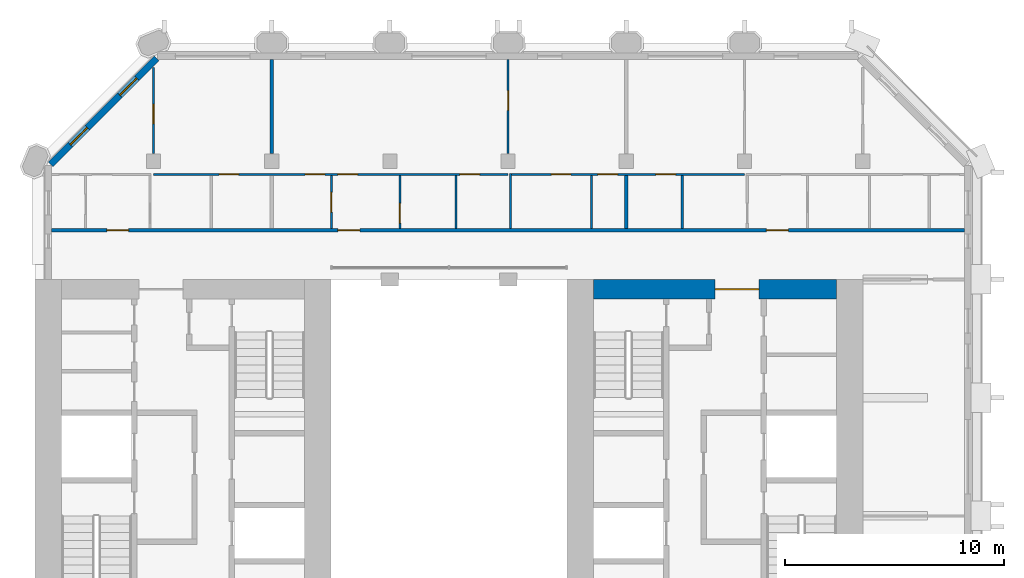
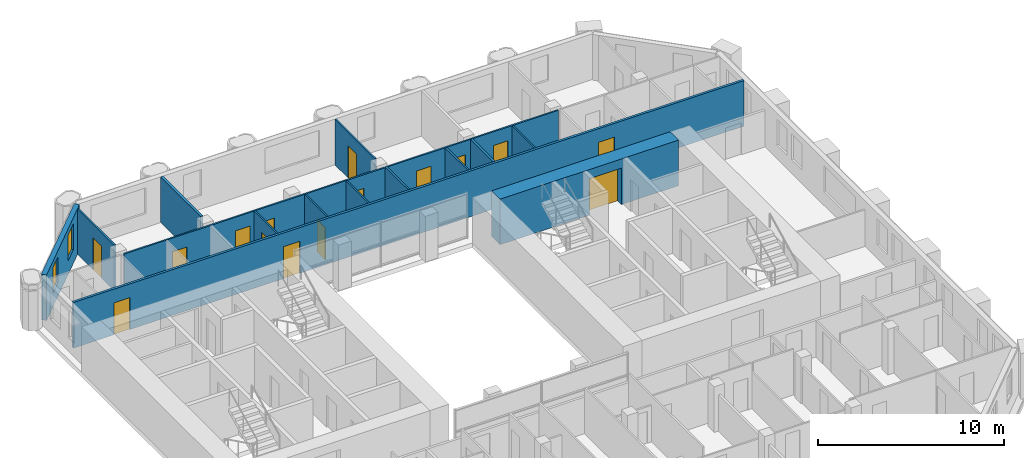
# One storey, part 10 of 14: 15 doors, 15 walls, 2 windows, 17 openings.
"""IFC4 building model written with IfcOpenShell, lengths in metres."""

import ifcopenshell
import ifcopenshell.guid

model = None  # the IFC model being written
_history = None  # IfcOwnerHistory: only IFC2X3 demands one
_inside = {}  # id of a spatial element -> (the spatial element, [elements in it])
_under = {}  # id of a project, library or spatial element -> (it, [spatial elements below it])
_declared = {}  # id of a project -> (the project, [libraries it declares])
_typed = {}  # id of a type object -> (the type object, [elements of that type])
_made_of = {}  # id of a material, layer set ... -> (it, [elements and type objects made of it])


def new_model(schema):
    """Start an empty IFC model of exactly this schema.

    Asked for "IFC4X3", IfcOpenShell would pick the latest addendum, in which some entities
    have other attributes; the version numbers below select the first issue.
    IFC2X3 requires an IfcOwnerHistory on every rooted entity: one is made here for all.
    """
    global model, _history
    if schema == "IFC4X3":
        model = ifcopenshell.file(schema_version=(4, 3, 0, 0))
    else:
        model = ifcopenshell.file(schema=schema)
    _inside.clear()
    _under.clear()
    _declared.clear()
    _typed.clear()
    _made_of.clear()
    _history = None
    if model.schema == "IFC2X3":
        org = make("IfcOrganization", Name="unknown")
        user = make(
            "IfcPersonAndOrganization",
            ThePerson=make("IfcPerson", FamilyName="unknown"),
            TheOrganization=org,
        )
        app = make(
            "IfcApplication",
            ApplicationDeveloper=org,
            Version="unknown",
            ApplicationFullName="unknown",
            ApplicationIdentifier="unknown",
        )
        _history = make(
            "IfcOwnerHistory",
            OwningUser=user,
            OwningApplication=app,
            ChangeAction="ADDED",
            CreationDate=0,
        )
    return model


def make(cls, **values):
    """One entity of the class cls with the attributes given. An attribute that is None is left unset."""
    return model.create_entity(
        cls, **{name: value for name, value in values.items() if value is not None}
    )


def rooted(cls, **values):
    """An entity with a GlobalId (a new one), such as an element, a storey or a relation."""
    return make(cls, GlobalId=ifcopenshell.guid.new(), OwnerHistory=_history, **values)


def si_unit(unit_type, name, prefix=None):
    """IfcSIUnit, for example si_unit("LENGTHUNIT", "METRE", prefix="MILLI")."""
    return make("IfcSIUnit", UnitType=unit_type, Prefix=prefix, Name=name)


def assignment(units):
    """IfcUnitAssignment: the units of a project."""
    return None if units is None else make("IfcUnitAssignment", Units=units)


def point(xyz):
    """IfcCartesianPoint."""
    return None if xyz is None else make("IfcCartesianPoint", Coordinates=xyz)


def direction(xyz):
    """IfcDirection."""
    return None if xyz is None else make("IfcDirection", DirectionRatios=xyz)


def frame(location, z_axis=None, x_axis=None):
    """IfcAxis2Placement3D, a coordinate frame: its origin and axes. An axis left out is left unset."""
    return make(
        "IfcAxis2Placement3D",
        Location=point(location),
        Axis=direction(z_axis),
        RefDirection=direction(x_axis),
    )


def frame_2d(location, x_axis=None):
    """IfcAxis2Placement2D, a coordinate frame in the plane: its origin and x axis."""
    return make(
        "IfcAxis2Placement2D", Location=point(location), RefDirection=direction(x_axis)
    )


def origin():
    """The frame at (0, 0, 0) with its axes left unset."""
    return frame((0.0, 0.0, 0.0))


def place(relative_to, where):
    """IfcLocalPlacement: puts the frame where relative to a parent placement (None: the world)."""
    return make(
        "IfcLocalPlacement", PlacementRelTo=relative_to, RelativePlacement=where
    )


def context(
    kind, dimensions, precision=None, world=None, true_north=None, identifier=None
):
    """IfcGeometricRepresentationContext, for example the 3D "Model" context."""
    return make(
        "IfcGeometricRepresentationContext",
        ContextIdentifier=identifier,
        ContextType=kind,
        CoordinateSpaceDimension=dimensions,
        Precision=precision,
        WorldCoordinateSystem=world,
        TrueNorth=true_north,
    )


def subcontext(parent, identifier, kind, view, scale=None):
    """IfcGeometricRepresentationSubContext, for example "Body" below "Model"."""
    return make(
        "IfcGeometricRepresentationSubContext",
        ContextIdentifier=identifier,
        ContextType=kind,
        ParentContext=parent,
        TargetScale=scale,
        TargetView=view,
    )


def project(units=None, contexts=None):
    """IfcProject with its units and contexts."""
    return rooted(
        "IfcProject",
        Name="project",
        RepresentationContexts=contexts,
        UnitsInContext=assignment(units),
    )


def spatial(cls, under=None, at=None, **own):
    """A site, building, storey or space (cls), placed at a placement, below another one or the project."""
    s = rooted(cls, ObjectPlacement=at, **own)
    if under is not None:
        _under.setdefault(under.id(), (under, []))[1].append(s)
    return s


def profile(cls, at=None, kind="AREA", **sizes):
    """A parametric profile (cls). Its sizes go by their IFC names, for example OverallWidth=200.0."""
    return make(cls, ProfileType=kind, Position=at, **sizes)


def rectangle(**sizes):
    """IfcRectangleProfileDef."""
    return profile("IfcRectangleProfileDef", **sizes)


def extrude(swept, where, along, depth):
    """IfcExtrudedAreaSolid: the profile swept, set in the frame where, extruded along a direction by depth."""
    return make(
        "IfcExtrudedAreaSolid",
        SweptArea=swept,
        Position=where,
        ExtrudedDirection=direction(along),
        Depth=depth,
    )


def shape(context_of_items, identifier, shape_type, items):
    """IfcShapeRepresentation: the items that make up one representation, for example the "Body"."""
    return make(
        "IfcShapeRepresentation",
        ContextOfItems=context_of_items,
        RepresentationIdentifier=identifier,
        RepresentationType=shape_type,
        Items=items,
    )


def material(Name=None, Category=None):
    """IfcMaterial."""
    return make("IfcMaterial", Name=Name, Category=Category)


def layer(
    of_material, thickness, ventilated=None, Name=None, Category=None, Priority=None
):
    """IfcMaterialLayer: one layer of a wall or slab, of a material (None: an air gap)."""
    return make(
        "IfcMaterialLayer",
        Material=of_material,
        LayerThickness=thickness,
        IsVentilated=ventilated,
        Name=Name,
        Category=Category,
        Priority=Priority,
    )


def layer_set(layers, Name=None):
    """IfcMaterialLayerSet."""
    return make("IfcMaterialLayerSet", MaterialLayers=layers, LayerSetName=Name)


def made_of(thing, what):
    """Note that an element or type object is made of a material, layer set ...; save() writes the relation."""
    if what is not None:
        _made_of.setdefault(what.id(), (what, []))[1].append(thing)
    return thing


def type_object(cls, material=None, **own):
    """A type object (cls), such as IfcWallType, which elements share."""
    return made_of(rooted(cls, **own), material)


def element(
    cls,
    number,
    at=None,
    inside=None,
    cuts=None,
    type_object=None,
    material=None,
    context=None,
    identifier="Body",
    shape_type=None,
    held_by="IfcProductDefinitionShape",
    body=None,
    shapes=None,
    **own,
):
    """One element of the class cls, such as IfcWall. Its Tag is "e" and its number.

    at: its placement. inside: the storey or other place that contains it. cuts: it is an
    opening in that element (IfcRelVoidsElement). A single representation is given by context,
    identifier, shape_type and body (its items); several are given by shapes. held_by: the class
    of the entity that holds the representations. save() writes the other relations.
    """
    e = rooted(cls, Tag="e%d" % number, ObjectPlacement=at, **own)
    if body is not None:
        shapes = [shape(context, identifier, shape_type, body)]
    if shapes is not None:
        e.Representation = make(held_by, Representations=shapes)
    if inside is not None:
        _inside.setdefault(inside.id(), (inside, []))[1].append(e)
    if cuts is not None:
        rooted(
            "IfcRelVoidsElement", RelatingBuildingElement=cuts, RelatedOpeningElement=e
        )
    if type_object is not None:
        _typed.setdefault(type_object.id(), (type_object, []))[1].append(e)
    return made_of(e, material)


def fill(opening, filler):
    """IfcRelFillsElement: the door or window that sits in an opening."""
    return rooted(
        "IfcRelFillsElement",
        RelatingOpeningElement=opening,
        RelatedBuildingElement=filler,
    )


def aggregate(whole, parts):
    """IfcRelAggregates: a whole, such as a stair, and the parts it consists of."""
    return rooted("IfcRelAggregates", RelatingObject=whole, RelatedObjects=parts)


def save(model, path):
    """Write the relations noted so far, then the file.

    IfcRelAggregates (storeys below a building ...), IfcRelContainedInSpatialStructure (elements
    in a storey), IfcRelDefinesByType, IfcRelAssociatesMaterial and IfcRelDeclares: one each for
    every whole, place, type object, material and project.
    """
    for whole, parts in _under.values():
        aggregate(whole, parts)
    for where, things in _inside.values():
        rooted(
            "IfcRelContainedInSpatialStructure",
            RelatedElements=things,
            RelatingStructure=where,
        )
    for kind, things in _typed.values():
        rooted("IfcRelDefinesByType", RelatedObjects=things, RelatingType=kind)
    for what, things in _made_of.values():
        rooted("IfcRelAssociatesMaterial", RelatedObjects=things, RelatingMaterial=what)
    for by, libraries in _declared.values():
        rooted("IfcRelDeclares", RelatingContext=by, RelatedDefinitions=libraries)
    model.write(path)


model = new_model("IFC4")

# Units and contexts
model_context = context("Model", 3, precision=1e-05, world=origin(), true_north=direction((0.0, 1.0)))
body_context = subcontext(model_context, "Body", "Model", "MODEL_VIEW")
ifc_project = project(units=[si_unit("LENGTHUNIT", "METRE"), si_unit("AREAUNIT", "SQUARE_METRE"), si_unit("VOLUMEUNIT", "CUBIC_METRE"), si_unit("PLANEANGLEUNIT", "RADIAN"), si_unit("MASSUNIT", "GRAM", prefix="KILO")], contexts=[model_context])

# Site, building, storey
site_placement = place(None, origin())
site = spatial("IfcSite", under=ifc_project, at=site_placement, CompositionType="ELEMENT")
building_placement = place(site_placement, origin())
building = spatial("IfcBuilding", under=site, at=building_placement, Name="Tabaq Tower and Sports Hall", CompositionType="ELEMENT")
storey_placement = place(building_placement, frame((0.0, 0.0, 281.800048828125)))
storey = spatial("IfcBuildingStorey", under=building, at=storey_placement, Name="L69", CompositionType="ELEMENT", Elevation=281.800048828125)

# Wall, opening, door
ifc_material_1 = material(Name="Concrete C40/50", Category="concrete")
ifc_layer_1 = layer(ifc_material_1, 0.89990234375)
ifc_layer_set_1 = layer_set([ifc_layer_1], Name="Core wall 900 Concrete C40/50")
wall_type_1 = type_object("IfcWallType", Name="Core wall 900 Concrete C40/50", PredefinedType="SOLIDWALL", material=ifc_layer_set_1)
wall_1_placement = place(storey_placement, frame((30.89990234375, 31.949951171875, 0.0), z_axis=(0.0, 0.0, 1.0), x_axis=(1.0, 0.0, 0.0)))
wall_1 = element("IfcWall", 1, at=wall_1_placement, inside=storey, type_object=wall_type_1, Name="Core wall E L69", PredefinedType="SOLIDWALL", context=body_context, shape_type="SweptSolid", body=[
    extrude(rectangle(XDim=11.10009765625, YDim=0.89990234375, at=frame_2d((5.550048828125, 0.0))), origin(), (0.0, 0.0, 1.0), 3.0),
])
opening_1_placement = place(wall_1_placement, frame((5.550048828125, 0.0, 0.0)))
opening_1 = element("IfcOpeningElement", 2, at=opening_1_placement, cuts=wall_1, Name="Opening PD-EL69-02", PredefinedType="OPENING", context=body_context, shape_type="SweptSolid", body=[
    extrude(rectangle(XDim=2.0, YDim=2.39990234375, at=frame_2d((1.0, 1.199951171875))), frame((0.0, 0.449951171875, 0.0), z_axis=(0.0, -1.0, 0.0), x_axis=(1.0, 0.0, 0.0)), (0.0, 0.0, 1.0), 0.89990234375),
])
ifc_material_2 = material(Name="Steel fire door", Category="steel")
door_type_1 = type_object("IfcDoorType", Name="Core entrance door 2000", OperationType="DOUBLE_DOOR_SINGLE_SWING", PredefinedType="DOOR", material=ifc_material_2)
door_1_placement = place(opening_1_placement, origin())
door_1 = element("IfcDoor", 3, at=door_1_placement, inside=storey, type_object=door_type_1, Name="Core entrance north E L69", OperationType="DOUBLE_DOOR_SINGLE_SWING", OverallHeight=2.39990234375, OverallWidth=2.0, PredefinedType="DOOR", context=body_context, shape_type="SweptSolid", body=[
    extrude(rectangle(XDim=2.0, YDim=2.39990234375, at=frame_2d((1.0, 1.199951171875))), frame((0.0, 0.02490234375, 0.0), z_axis=(0.0, -1.0, 0.0), x_axis=(1.0, 0.0, 0.0)), (0.0, 0.0, 1.0), 0.050048828125),
])
fill(opening_1, door_1)

ifc_material_3 = material(Name="Gypsum board on steel studs", Category="steel")
ifc_layer_2 = layer(ifc_material_3, 0.10009765625)
ifc_layer_set_2 = layer_set([ifc_layer_2], Name="Partition 100 Gypsum board")
wall_type_2 = type_object("IfcWallType", Name="Partition 100 Gypsum board", PredefinedType="PARTITIONING", material=ifc_layer_set_2)
wall_2_placement = place(storey_placement, frame((10.800048828125, 38.14501953125, 0.0), z_axis=(0.0, 0.0, 1.0), x_axis=(0.0, 1.0, 0.0)))
wall_2 = element("IfcWall", 4, at=wall_2_placement, inside=storey, type_object=wall_type_2, Name="Partition wall L69", PredefinedType="PARTITIONING", context=body_context, shape_type="SweptSolid", body=[
    extrude(rectangle(XDim=3.94287109375, YDim=0.10009765625, at=frame_2d((1.971435546875, 0.0))), origin(), (0.0, 0.0, 1.0), 3.0),
])
opening_2_placement = place(wall_2_placement, frame((1.35498046875, 0.0, 0.0)))
opening_2 = element("IfcOpeningElement", 5, at=opening_2_placement, cuts=wall_2, Name="Opening L69-028", PredefinedType="OPENING", context=body_context, shape_type="SweptSolid", body=[
    extrude(rectangle(XDim=0.89990234375, YDim=2.10009765625, at=frame_2d((0.449951171875, 1.050048828125))), frame((0.0, 0.050048828125, 0.0), z_axis=(0.0, -1.0, 0.0), x_axis=(1.0, 0.0, 0.0)), (0.0, 0.0, 1.0), 0.10009765625),
])
ifc_material_4 = material(Name="Timber leaf in steel frame", Category="steel")
door_type_2 = type_object("IfcDoorType", Name="Internal door 900 left hand", OperationType="SINGLE_SWING_LEFT", PredefinedType="DOOR", material=ifc_material_4)
door_2_placement = place(opening_2_placement, origin())
door_2 = element("IfcDoor", 6, at=door_2_placement, inside=storey, type_object=door_type_2, Name="Internal door L69-028", OperationType="SINGLE_SWING_LEFT", OverallHeight=2.10009765625, OverallWidth=0.89990234375, PredefinedType="DOOR", context=body_context, shape_type="SweptSolid", body=[
    extrude(rectangle(XDim=0.89990234375, YDim=2.10009765625, at=frame_2d((0.449951171875, 1.050048828125))), frame((0.0, 0.02490234375, 0.0), z_axis=(0.0, -1.0, 0.0), x_axis=(1.0, 0.0, 0.0)), (0.0, 0.0, 1.0), 0.050048828125),
])
fill(opening_2, door_2)

# Wall, openings, doors
wall_3_placement = place(storey_placement, frame((10.800048828125, 37.199951171875, 0.0), z_axis=(0.0, 0.0, 1.0), x_axis=(1.0, 0.0, 0.0)))
wall_3 = element("IfcWall", 7, at=wall_3_placement, inside=storey, type_object=wall_type_2, Name="Partition wall L69", PredefinedType="PARTITIONING", context=body_context, shape_type="SweptSolid", body=[
    extrude(rectangle(XDim=16.199951171875, YDim=0.10009765625, at=frame_2d((8.10009765625, 0.0))), origin(), (0.0, 0.0, 1.0), 3.0),
])
opening_3_placement = place(wall_3_placement, frame((2.9951171875, 0.0, 0.0)))
opening_3 = element("IfcOpeningElement", 8, at=opening_3_placement, cuts=wall_3, Name="Opening L69-001", PredefinedType="OPENING", context=body_context, shape_type="SweptSolid", body=[
    extrude(rectangle(XDim=0.89990234375, YDim=2.10009765625, at=frame_2d((0.449951171875, 1.050048828125))), frame((0.0, 0.050048828125, 0.0), z_axis=(0.0, -1.0, 0.0), x_axis=(1.0, 0.0, 0.0)), (0.0, 0.0, 1.0), 0.10009765625),
])
opening_4_placement = place(wall_3_placement, frame((13.99609375, 0.0, 0.0)))
opening_4 = element("IfcOpeningElement", 9, at=opening_4_placement, cuts=wall_3, Name="Opening L69-003", PredefinedType="OPENING", context=body_context, shape_type="SweptSolid", body=[
    extrude(rectangle(XDim=0.89990234375, YDim=2.10009765625, at=frame_2d((0.449951171875, 1.050048828125))), frame((0.0, 0.050048828125, 0.0), z_axis=(0.0, -1.0, 0.0), x_axis=(1.0, 0.0, 0.0)), (0.0, 0.0, 1.0), 0.10009765625),
])
opening_5_placement = place(wall_3_placement, frame((6.927978515625, 0.0, 0.0)))
opening_5 = element("IfcOpeningElement", 10, at=opening_5_placement, cuts=wall_3, Name="Opening L69-031", PredefinedType="OPENING", context=body_context, shape_type="SweptSolid", body=[
    extrude(rectangle(XDim=0.89990234375, YDim=2.10009765625, at=frame_2d((0.449951171875, 1.050048828125))), frame((0.0, 0.050048828125, 0.0), z_axis=(0.0, -1.0, 0.0), x_axis=(1.0, 0.0, 0.0)), (0.0, 0.0, 1.0), 0.10009765625),
])
opening_6_placement = place(wall_3_placement, frame((8.427978515625, 0.0, 0.0)))
opening_6 = element("IfcOpeningElement", 11, at=opening_6_placement, cuts=wall_3, Name="Opening L69-055", PredefinedType="OPENING", context=body_context, shape_type="SweptSolid", body=[
    extrude(rectangle(XDim=0.89990234375, YDim=2.10009765625, at=frame_2d((0.449951171875, 1.050048828125))), frame((0.0, 0.050048828125, 0.0), z_axis=(0.0, -1.0, 0.0), x_axis=(1.0, 0.0, 0.0)), (0.0, 0.0, 1.0), 0.10009765625),
])
door_3_placement = place(opening_5_placement, origin())
door_3 = element("IfcDoor", 12, at=door_3_placement, inside=storey, type_object=door_type_2, Name="Internal door L69-031", OperationType="SINGLE_SWING_LEFT", OverallHeight=2.10009765625, OverallWidth=0.89990234375, PredefinedType="DOOR", context=body_context, shape_type="SweptSolid", body=[
    extrude(rectangle(XDim=0.89990234375, YDim=2.10009765625, at=frame_2d((0.449951171875, 1.050048828125))), frame((0.0, 0.02490234375, 0.0), z_axis=(0.0, -1.0, 0.0), x_axis=(1.0, 0.0, 0.0)), (0.0, 0.0, 1.0), 0.050048828125),
])
fill(opening_5, door_3)
ifc_material_5 = material(Name="Timber leaf in steel frame", Category="steel")
door_type_3 = type_object("IfcDoorType", Name="Internal door 900 right hand", OperationType="SINGLE_SWING_RIGHT", PredefinedType="DOOR", material=ifc_material_5)
door_4_placement = place(opening_3_placement, origin())
door_4 = element("IfcDoor", 13, at=door_4_placement, inside=storey, type_object=door_type_3, Name="Internal door L69-001", OperationType="SINGLE_SWING_RIGHT", OverallHeight=2.10009765625, OverallWidth=0.89990234375, PredefinedType="DOOR", context=body_context, shape_type="SweptSolid", body=[
    extrude(rectangle(XDim=0.89990234375, YDim=2.10009765625, at=frame_2d((0.449951171875, 1.050048828125))), frame((0.0, 0.02490234375, 0.0), z_axis=(0.0, -1.0, 0.0), x_axis=(1.0, 0.0, 0.0)), (0.0, 0.0, 1.0), 0.050048828125),
])
fill(opening_3, door_4)
door_5_placement = place(opening_4_placement, origin())
door_5 = element("IfcDoor", 14, at=door_5_placement, inside=storey, type_object=door_type_3, Name="Internal door L69-003", OperationType="SINGLE_SWING_RIGHT", OverallHeight=2.10009765625, OverallWidth=0.89990234375, PredefinedType="DOOR", context=body_context, shape_type="SweptSolid", body=[
    extrude(rectangle(XDim=0.89990234375, YDim=2.10009765625, at=frame_2d((0.449951171875, 1.050048828125))), frame((0.0, 0.02490234375, 0.0), z_axis=(0.0, -1.0, 0.0), x_axis=(1.0, 0.0, 0.0)), (0.0, 0.0, 1.0), 0.050048828125),
])
fill(opening_4, door_5)
door_6_placement = place(opening_6_placement, origin())
door_6 = element("IfcDoor", 15, at=door_6_placement, inside=storey, type_object=door_type_3, Name="Internal door L69-055", OperationType="SINGLE_SWING_RIGHT", OverallHeight=2.10009765625, OverallWidth=0.89990234375, PredefinedType="DOOR", context=body_context, shape_type="SweptSolid", body=[
    extrude(rectangle(XDim=0.89990234375, YDim=2.10009765625, at=frame_2d((0.449951171875, 1.050048828125))), frame((0.0, 0.02490234375, 0.0), z_axis=(0.0, -1.0, 0.0), x_axis=(1.0, 0.0, 0.0)), (0.0, 0.0, 1.0), 0.050048828125),
])
fill(opening_6, door_6)

# Wall, opening, door
wall_4_placement = place(storey_placement, frame((27.0, 38.14501953125, 0.0), z_axis=(0.0, 0.0, 1.0), x_axis=(0.0, 1.0, 0.0)))
wall_4 = element("IfcWall", 16, at=wall_4_placement, inside=storey, type_object=wall_type_2, Name="Partition wall L69", PredefinedType="PARTITIONING", context=body_context, shape_type="SweptSolid", body=[
    extrude(rectangle(XDim=4.303955078125, YDim=0.10009765625, at=frame_2d((2.15185546875, 0.0))), origin(), (0.0, 0.0, 1.0), 3.0),
])
opening_7_placement = place(wall_4_placement, frame((1.97998046875, 0.0, 0.0)))
opening_7 = element("IfcOpeningElement", 17, at=opening_7_placement, cuts=wall_4, Name="Opening L69-048", PredefinedType="OPENING", context=body_context, shape_type="SweptSolid", body=[
    extrude(rectangle(XDim=0.89990234375, YDim=2.10009765625, at=frame_2d((0.449951171875, 1.050048828125))), frame((0.0, 0.050048828125, 0.0), z_axis=(0.0, -1.0, 0.0), x_axis=(1.0, 0.0, 0.0)), (0.0, 0.0, 1.0), 0.10009765625),
])
door_7_placement = place(opening_7_placement, origin())
door_7 = element("IfcDoor", 18, at=door_7_placement, inside=storey, type_object=door_type_2, Name="Internal door L69-048", OperationType="SINGLE_SWING_LEFT", OverallHeight=2.10009765625, OverallWidth=0.89990234375, PredefinedType="DOOR", context=body_context, shape_type="SweptSolid", body=[
    extrude(rectangle(XDim=0.89990234375, YDim=2.10009765625, at=frame_2d((0.449951171875, 1.050048828125))), frame((0.0, 0.02490234375, 0.0), z_axis=(0.0, -1.0, 0.0), x_axis=(1.0, 0.0, 0.0)), (0.0, 0.0, 1.0), 0.050048828125),
])
fill(opening_7, door_7)

wall_5_placement = place(storey_placement, frame((18.927978515625, 34.72509765625, 0.0), z_axis=(0.0, 0.0, 1.0), x_axis=(0.0, 1.0, 0.0)))
wall_5 = element("IfcWall", 19, at=wall_5_placement, inside=storey, type_object=wall_type_2, Name="Partition wall L69", PredefinedType="PARTITIONING", context=body_context, shape_type="SweptSolid", body=[
    extrude(rectangle(XDim=2.4248046875, YDim=0.10009765625, at=frame_2d((1.21240234375, 0.0))), origin(), (0.0, 0.0, 1.0), 3.0),
])
opening_8_placement = place(wall_5_placement, frame((0.75, 0.0, 0.0)))
opening_8 = element("IfcOpeningElement", 20, at=opening_8_placement, cuts=wall_5, Name="Opening L69-032", PredefinedType="OPENING", context=body_context, shape_type="SweptSolid", body=[
    extrude(rectangle(XDim=0.89990234375, YDim=2.10009765625, at=frame_2d((0.449951171875, 1.050048828125))), frame((0.0, 0.050048828125, 0.0), z_axis=(0.0, -1.0, 0.0), x_axis=(1.0, 0.0, 0.0)), (0.0, 0.0, 1.0), 0.10009765625),
])
door_8_placement = place(opening_8_placement, origin())
door_8 = element("IfcDoor", 21, at=door_8_placement, inside=storey, type_object=door_type_3, Name="Internal door L69-032", OperationType="SINGLE_SWING_RIGHT", OverallHeight=2.10009765625, OverallWidth=0.89990234375, PredefinedType="DOOR", context=body_context, shape_type="SweptSolid", body=[
    extrude(rectangle(XDim=0.89990234375, YDim=2.10009765625, at=frame_2d((0.449951171875, 1.050048828125))), frame((0.0, 0.02490234375, 0.0), z_axis=(0.0, -1.0, 0.0), x_axis=(1.0, 0.0, 0.0)), (0.0, 0.0, 1.0), 0.050048828125),
])
fill(opening_8, door_8)

wall_6_placement = place(storey_placement, frame((22.05810546875, 34.72509765625, 0.0), z_axis=(0.0, 0.0, 1.0), x_axis=(0.0, 1.0, 0.0)))
wall_6 = element("IfcWall", 22, at=wall_6_placement, inside=storey, type_object=wall_type_2, Name="Partition wall L69", PredefinedType="PARTITIONING", context=body_context, shape_type="SweptSolid", body=[
    extrude(rectangle(XDim=2.4248046875, YDim=0.10009765625, at=frame_2d((1.21240234375, 0.0))), origin(), (0.0, 0.0, 1.0), 3.0),
])
opening_9_placement = place(wall_6_placement, frame((0.25, 0.0, 0.0)))
opening_9 = element("IfcOpeningElement", 23, at=opening_9_placement, cuts=wall_6, Name="Opening L69-006", PredefinedType="OPENING", context=body_context, shape_type="SweptSolid", body=[
    extrude(rectangle(XDim=0.89990234375, YDim=2.10009765625, at=frame_2d((0.449951171875, 1.050048828125))), frame((0.0, 0.050048828125, 0.0), z_axis=(0.0, -1.0, 0.0), x_axis=(1.0, 0.0, 0.0)), (0.0, 0.0, 1.0), 0.10009765625),
])
door_9_placement = place(opening_9_placement, origin())
door_9 = element("IfcDoor", 24, at=door_9_placement, inside=storey, type_object=door_type_3, Name="Internal door L69-006", OperationType="SINGLE_SWING_RIGHT", OverallHeight=2.10009765625, OverallWidth=0.89990234375, PredefinedType="DOOR", context=body_context, shape_type="SweptSolid", body=[
    extrude(rectangle(XDim=0.89990234375, YDim=2.10009765625, at=frame_2d((0.449951171875, 1.050048828125))), frame((0.0, 0.02490234375, 0.0), z_axis=(0.0, -1.0, 0.0), x_axis=(1.0, 0.0, 0.0)), (0.0, 0.0, 1.0), 0.050048828125),
])
fill(opening_9, door_9)

# Walls
wall_7_placement = place(storey_placement, frame((24.6259765625, 34.72509765625, 0.0), z_axis=(0.0, 0.0, 1.0), x_axis=(0.0, 1.0, 0.0)))
element("IfcWall", 25, at=wall_7_placement, inside=storey, type_object=wall_type_2, Name="Partition wall L69", PredefinedType="PARTITIONING", context=body_context, shape_type="SweptSolid", body=[
    extrude(rectangle(XDim=2.4248046875, YDim=0.10009765625, at=frame_2d((1.21240234375, 0.0))), origin(), (0.0, 0.0, 1.0), 3.0),
])
wall_8_placement = place(storey_placement, frame((27.114013671875, 34.72509765625, 0.0), z_axis=(0.0, 0.0, 1.0), x_axis=(0.0, 1.0, 0.0)))
element("IfcWall", 26, at=wall_8_placement, inside=storey, type_object=wall_type_2, Name="Partition wall L69", PredefinedType="PARTITIONING", context=body_context, shape_type="SweptSolid", body=[
    extrude(rectangle(XDim=2.52490234375, YDim=0.10009765625, at=frame_2d((1.262451171875, 0.0))), origin(), (0.0, 0.0, 1.0), 3.0),
])
wall_9_placement = place(storey_placement, frame((30.804931640625, 34.72509765625, 0.0), z_axis=(0.0, 0.0, 1.0), x_axis=(0.0, 1.0, 0.0)))
element("IfcWall", 27, at=wall_9_placement, inside=storey, type_object=wall_type_2, Name="Partition wall L69", PredefinedType="PARTITIONING", context=body_context, shape_type="SweptSolid", body=[
    extrude(rectangle(XDim=2.4248046875, YDim=0.10009765625, at=frame_2d((1.21240234375, 0.0))), origin(), (0.0, 0.0, 1.0), 3.0),
])

# Wall, openings, doors
wall_10_placement = place(storey_placement, frame((27.1640625, 37.199951171875, 0.0), z_axis=(0.0, 0.0, 1.0), x_axis=(1.0, 0.0, 0.0)))
wall_10 = element("IfcWall", 28, at=wall_10_placement, inside=storey, type_object=wall_type_2, Name="Partition wall L69", PredefinedType="PARTITIONING", context=body_context, shape_type="SweptSolid", body=[
    extrude(rectangle(XDim=10.635986328125, YDim=0.10009765625, at=frame_2d((5.31787109375, 0.0))), origin(), (0.0, 0.0, 1.0), 3.0),
])
opening_10_placement = place(wall_10_placement, frame((1.806884765625, 0.0, 0.0)))
opening_10 = element("IfcOpeningElement", 29, at=opening_10_placement, cuts=wall_10, Name="Opening L69-004", PredefinedType="OPENING", context=body_context, shape_type="SweptSolid", body=[
    extrude(rectangle(XDim=0.89990234375, YDim=2.10009765625, at=frame_2d((0.449951171875, 1.050048828125))), frame((0.0, 0.050048828125, 0.0), z_axis=(0.0, -1.0, 0.0), x_axis=(1.0, 0.0, 0.0)), (0.0, 0.0, 1.0), 0.10009765625),
])
opening_11_placement = place(wall_10_placement, frame((3.94091796875, 0.0, 0.0)))
opening_11 = element("IfcOpeningElement", 30, at=opening_11_placement, cuts=wall_10, Name="Opening L69-005", PredefinedType="OPENING", context=body_context, shape_type="SweptSolid", body=[
    extrude(rectangle(XDim=0.89990234375, YDim=2.10009765625, at=frame_2d((0.449951171875, 1.050048828125))), frame((0.0, 0.050048828125, 0.0), z_axis=(0.0, -1.0, 0.0), x_axis=(1.0, 0.0, 0.0)), (0.0, 0.0, 1.0), 0.10009765625),
])
opening_12_placement = place(wall_10_placement, frame((6.5859375, 0.0, 0.0)))
opening_12 = element("IfcOpeningElement", 31, at=opening_12_placement, cuts=wall_10, Name="Opening L69-007", PredefinedType="OPENING", context=body_context, shape_type="SweptSolid", body=[
    extrude(rectangle(XDim=0.89990234375, YDim=2.10009765625, at=frame_2d((0.449951171875, 1.050048828125))), frame((0.0, 0.050048828125, 0.0), z_axis=(0.0, -1.0, 0.0), x_axis=(1.0, 0.0, 0.0)), (0.0, 0.0, 1.0), 0.10009765625),
])
door_10_placement = place(opening_10_placement, origin())
door_10 = element("IfcDoor", 32, at=door_10_placement, inside=storey, type_object=door_type_2, Name="Internal door L69-004", OperationType="SINGLE_SWING_LEFT", OverallHeight=2.10009765625, OverallWidth=0.89990234375, PredefinedType="DOOR", context=body_context, shape_type="SweptSolid", body=[
    extrude(rectangle(XDim=0.89990234375, YDim=2.10009765625, at=frame_2d((0.449951171875, 1.050048828125))), frame((0.0, 0.02490234375, 0.0), z_axis=(0.0, -1.0, 0.0), x_axis=(1.0, 0.0, 0.0)), (0.0, 0.0, 1.0), 0.050048828125),
])
fill(opening_10, door_10)
door_11_placement = place(opening_12_placement, origin())
door_11 = element("IfcDoor", 33, at=door_11_placement, inside=storey, type_object=door_type_2, Name="Internal door L69-007", OperationType="SINGLE_SWING_LEFT", OverallHeight=2.10009765625, OverallWidth=0.89990234375, PredefinedType="DOOR", context=body_context, shape_type="SweptSolid", body=[
    extrude(rectangle(XDim=0.89990234375, YDim=2.10009765625, at=frame_2d((0.449951171875, 1.050048828125))), frame((0.0, 0.02490234375, 0.0), z_axis=(0.0, -1.0, 0.0), x_axis=(1.0, 0.0, 0.0)), (0.0, 0.0, 1.0), 0.050048828125),
])
fill(opening_12, door_11)
door_12_placement = place(opening_11_placement, origin())
door_12 = element("IfcDoor", 34, at=door_12_placement, inside=storey, type_object=door_type_3, Name="Internal door L69-005", OperationType="SINGLE_SWING_RIGHT", OverallHeight=2.10009765625, OverallWidth=0.89990234375, PredefinedType="DOOR", context=body_context, shape_type="SweptSolid", body=[
    extrude(rectangle(XDim=0.89990234375, YDim=2.10009765625, at=frame_2d((0.449951171875, 1.050048828125))), frame((0.0, 0.02490234375, 0.0), z_axis=(0.0, -1.0, 0.0), x_axis=(1.0, 0.0, 0.0)), (0.0, 0.0, 1.0), 0.050048828125),
])
fill(opening_11, door_12)

# Walls
wall_11_placement = place(storey_placement, frame((34.949951171875, 34.72509765625, 0.0), z_axis=(0.0, 0.0, 1.0), x_axis=(0.0, 1.0, 0.0)))
element("IfcWall", 35, at=wall_11_placement, inside=storey, type_object=wall_type_2, Name="Partition wall L69", PredefinedType="PARTITIONING", context=body_context, shape_type="SweptSolid", body=[
    extrude(rectangle(XDim=2.4248046875, YDim=0.10009765625, at=frame_2d((1.21240234375, 0.0))), origin(), (0.0, 0.0, 1.0), 3.0),
])
ifc_material_6 = material(Name="Blockwork", Category="masonry")
ifc_layer_3 = layer(ifc_material_6, 0.14990234375)
ifc_layer_set_3 = layer_set([ifc_layer_3], Name="Separating wall 150 Blockwork")
wall_type_3 = type_object("IfcWallType", Name="Separating wall 150 Blockwork", PredefinedType="PARTITIONING", material=ifc_layer_set_3)
wall_12_placement = place(storey_placement, frame((16.199951171875, 38.14501953125, 0.0), z_axis=(0.0, 0.0, 1.0), x_axis=(0.0, 1.0, 0.0)))
element("IfcWall", 36, at=wall_12_placement, inside=storey, type_object=wall_type_3, Name="Separating wall L69", PredefinedType="PARTITIONING", context=body_context, shape_type="SweptSolid", body=[
    extrude(rectangle(XDim=4.303955078125, YDim=0.14990234375, at=frame_2d((2.15185546875, 0.0))), origin(), (0.0, 0.0, 1.0), 3.0),
])
wall_13_placement = place(storey_placement, frame((32.39990234375, 34.72509765625, 0.0), z_axis=(0.0, 0.0, 1.0), x_axis=(0.0, 1.0, 0.0)))
element("IfcWall", 37, at=wall_13_placement, inside=storey, type_object=wall_type_3, Name="Separating wall L69", PredefinedType="PARTITIONING", context=body_context, shape_type="SweptSolid", body=[
    extrude(rectangle(XDim=2.4248046875, YDim=0.14990234375, at=frame_2d((1.21240234375, 0.0))), origin(), (0.0, 0.0, 1.0), 3.0),
])

# Wall, openings, doors
wall_14_placement = place(storey_placement, frame((6.15087890625, 34.64990234375, 0.0), z_axis=(0.0, 0.0, 1.0), x_axis=(1.0, 0.0, 0.0)))
wall_14 = element("IfcWall", 38, at=wall_14_placement, inside=storey, type_object=wall_type_3, Name="Separating wall L69", PredefinedType="PARTITIONING", context=body_context, shape_type="SweptSolid", body=[
    extrude(rectangle(XDim=41.6982421875, YDim=0.14990234375, at=frame_2d((20.84912109375, 0.0))), origin(), (0.0, 0.0, 1.0), 3.0),
])
opening_13_placement = place(wall_14_placement, frame((2.51904296875, 0.0, 0.0)))
opening_13 = element("IfcOpeningElement", 39, at=opening_13_placement, cuts=wall_14, Name="Opening L69-054", PredefinedType="OPENING", context=body_context, shape_type="SweptSolid", body=[
    extrude(rectangle(XDim=1.0, YDim=2.10009765625, at=frame_2d((0.5, 1.050048828125))), frame((0.0, 0.074951171875, 0.0), z_axis=(0.0, -1.0, 0.0), x_axis=(1.0, 0.0, 0.0)), (0.0, 0.0, 1.0), 0.14990234375),
])
opening_14_placement = place(wall_14_placement, frame((13.076904296875, 0.0, 0.0)))
opening_14 = element("IfcOpeningElement", 40, at=opening_14_placement, cuts=wall_14, Name="Opening L69-056", PredefinedType="OPENING", context=body_context, shape_type="SweptSolid", body=[
    extrude(rectangle(XDim=1.0, YDim=2.10009765625, at=frame_2d((0.5, 1.050048828125))), frame((0.0, 0.074951171875, 0.0), z_axis=(0.0, -1.0, 0.0), x_axis=(1.0, 0.0, 0.0)), (0.0, 0.0, 1.0), 0.14990234375),
])
opening_15_placement = place(wall_14_placement, frame((32.64892578125, 0.0, 0.0)))
opening_15 = element("IfcOpeningElement", 41, at=opening_15_placement, cuts=wall_14, Name="Opening L69-057", PredefinedType="OPENING", context=body_context, shape_type="SweptSolid", body=[
    extrude(rectangle(XDim=1.0, YDim=2.10009765625, at=frame_2d((0.5, 1.050048828125))), frame((0.0, 0.074951171875, 0.0), z_axis=(0.0, -1.0, 0.0), x_axis=(1.0, 0.0, 0.0)), (0.0, 0.0, 1.0), 0.14990234375),
])
ifc_material_7 = material(Name="Steel fire door", Category="steel")
door_type_4 = type_object("IfcDoorType", Name="Entrance door 1000 right hand", OperationType="SINGLE_SWING_RIGHT", PredefinedType="DOOR", material=ifc_material_7)
door_13_placement = place(opening_13_placement, origin())
door_13 = element("IfcDoor", 42, at=door_13_placement, inside=storey, type_object=door_type_4, Name="Entrance door L69-054", OperationType="SINGLE_SWING_RIGHT", OverallHeight=2.10009765625, OverallWidth=1.0, PredefinedType="DOOR", context=body_context, shape_type="SweptSolid", body=[
    extrude(rectangle(XDim=1.0, YDim=2.10009765625, at=frame_2d((0.5, 1.050048828125))), frame((0.0, 0.02490234375, 0.0), z_axis=(0.0, -1.0, 0.0), x_axis=(1.0, 0.0, 0.0)), (0.0, 0.0, 1.0), 0.050048828125),
])
fill(opening_13, door_13)
door_14_placement = place(opening_14_placement, origin())
door_14 = element("IfcDoor", 43, at=door_14_placement, inside=storey, type_object=door_type_4, Name="Entrance door L69-056", OperationType="SINGLE_SWING_RIGHT", OverallHeight=2.10009765625, OverallWidth=1.0, PredefinedType="DOOR", context=body_context, shape_type="SweptSolid", body=[
    extrude(rectangle(XDim=1.0, YDim=2.10009765625, at=frame_2d((0.5, 1.050048828125))), frame((0.0, 0.02490234375, 0.0), z_axis=(0.0, -1.0, 0.0), x_axis=(1.0, 0.0, 0.0)), (0.0, 0.0, 1.0), 0.050048828125),
])
fill(opening_14, door_14)
door_15_placement = place(opening_15_placement, origin())
door_15 = element("IfcDoor", 44, at=door_15_placement, inside=storey, type_object=door_type_4, Name="Entrance door L69-057", OperationType="SINGLE_SWING_RIGHT", OverallHeight=2.10009765625, OverallWidth=1.0, PredefinedType="DOOR", context=body_context, shape_type="SweptSolid", body=[
    extrude(rectangle(XDim=1.0, YDim=2.10009765625, at=frame_2d((0.5, 1.050048828125))), frame((0.0, 0.02490234375, 0.0), z_axis=(0.0, -1.0, 0.0), x_axis=(1.0, 0.0, 0.0)), (0.0, 0.0, 1.0), 0.050048828125),
])
fill(opening_15, door_15)

# Wall, openings, windows
ifc_material_8 = material(Name="White precast concrete C60/75", Category="concrete")
ifc_layer_4 = layer(ifc_material_8, 0.300048828125)
ifc_layer_set_4 = layer_set([ifc_layer_4], Name="White precast concrete C60/75 external wall 300")
wall_type_4 = type_object("IfcWallType", Name="White precast concrete C60/75 external wall 300", PredefinedType="SOLIDWALL", material=ifc_layer_set_4)
wall_15_placement = place(storey_placement, frame((10.949462890625, 42.5009765625, 0.0), z_axis=(0.0, 0.0, 1.0), x_axis=(-0.707106781187, -0.707106781187, 0.0)))
wall_15 = element("IfcWall", 45, at=wall_15_placement, inside=storey, type_object=wall_type_4, Name="External Wall L69 NW", PredefinedType="SOLIDWALL", context=body_context, shape_type="SweptSolid", body=[
    extrude(rectangle(XDim=6.85986328125, YDim=0.300048828125, at=frame_2d((3.429931640625, 0.0))), origin(), (0.0, 0.0, 1.0), 3.0),
])
opening_16_placement = place(wall_15_placement, frame((1.27978515625, 0.0, 0.89990234375)))
opening_16 = element("IfcOpeningElement", 46, at=opening_16_placement, cuts=wall_15, Name="Opening W1B", PredefinedType="OPENING", context=body_context, shape_type="SweptSolid", body=[
    extrude(rectangle(XDim=1.10009765625, YDim=1.699951171875, at=frame_2d((0.550048828125, 0.85009765625))), frame((0.0, 0.16015625, 0.0), z_axis=(0.0, -1.0, 0.0), x_axis=(1.0, 0.0, 0.0)), (0.0, 0.0, 1.0), 0.320068359375),
])
opening_17_placement = place(wall_15_placement, frame((4.479736328125, 0.0, 0.89990234375)))
opening_17 = element("IfcOpeningElement", 47, at=opening_17_placement, cuts=wall_15, Name="Opening W1B", PredefinedType="OPENING", context=body_context, shape_type="SweptSolid", body=[
    extrude(rectangle(XDim=1.10009765625, YDim=1.699951171875, at=frame_2d((0.550048828125, 0.85009765625))), frame((0.0, 0.16015625, 0.0), z_axis=(0.0, -1.0, 0.0), x_axis=(1.0, 0.0, 0.0)), (0.0, 0.0, 1.0), 0.320068359375),
])
ifc_material_9 = material(Name="Aluminium framed clear glazing", Category="aluminium")
window_type = type_object("IfcWindowType", Name="Window W1B", PartitioningType="SINGLE_PANEL", PredefinedType="WINDOW", material=ifc_material_9)
window_1_placement = place(opening_16_placement, origin())
window_1 = element("IfcWindow", 48, at=window_1_placement, inside=storey, type_object=window_type, Name="Window W1B L69", OverallHeight=1.699951171875, OverallWidth=1.10009765625, PartitioningType="SINGLE_PANEL", PredefinedType="WINDOW", context=body_context, shape_type="SweptSolid", body=[
    extrude(rectangle(XDim=1.10009765625, YDim=1.699951171875, at=frame_2d((0.550048828125, 0.85009765625))), frame((0.0, 0.030029296875, 0.0), z_axis=(0.0, -1.0, 0.0), x_axis=(1.0, 0.0, 0.0)), (0.0, 0.0, 1.0), 0.06005859375),
])
fill(opening_16, window_1)
window_2_placement = place(opening_17_placement, origin())
window_2 = element("IfcWindow", 49, at=window_2_placement, inside=storey, type_object=window_type, Name="Window W1B L69", OverallHeight=1.699951171875, OverallWidth=1.10009765625, PartitioningType="SINGLE_PANEL", PredefinedType="WINDOW", context=body_context, shape_type="SweptSolid", body=[
    extrude(rectangle(XDim=1.10009765625, YDim=1.699951171875, at=frame_2d((0.550048828125, 0.85009765625))), frame((0.0, 0.030029296875, 0.0), z_axis=(0.0, -1.0, 0.0), x_axis=(1.0, 0.0, 0.0)), (0.0, 0.0, 1.0), 0.06005859375),
])
fill(opening_17, window_2)

save(model, "model.ifc")
